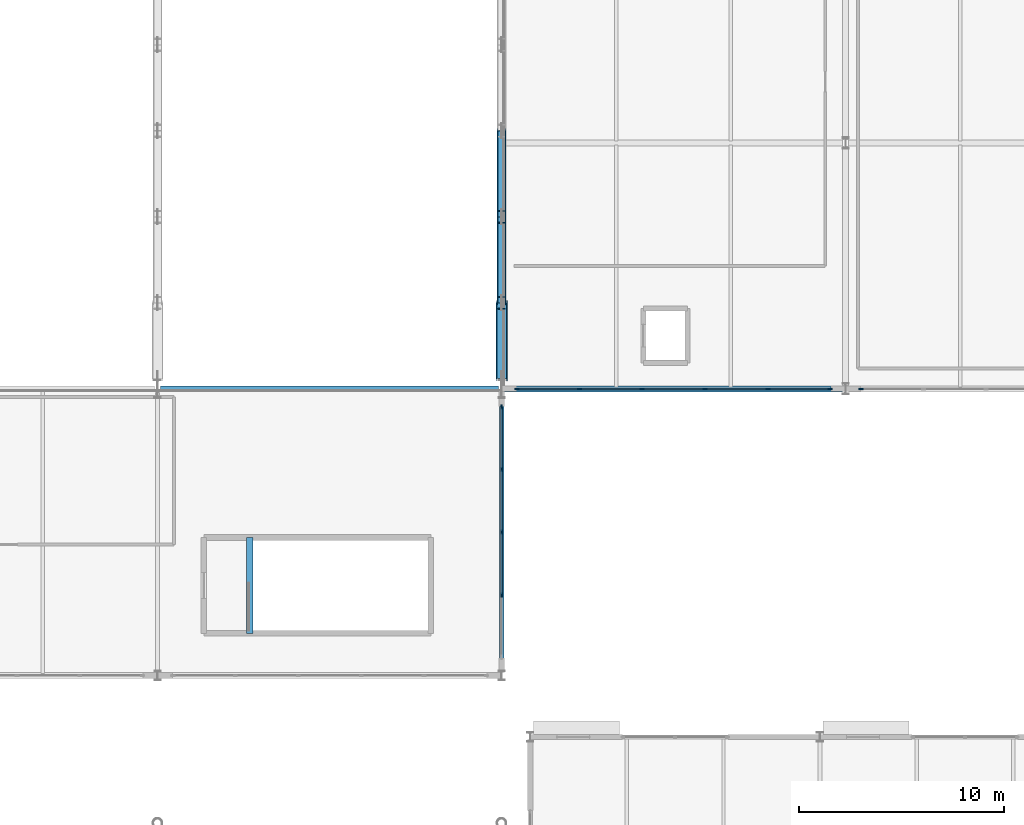
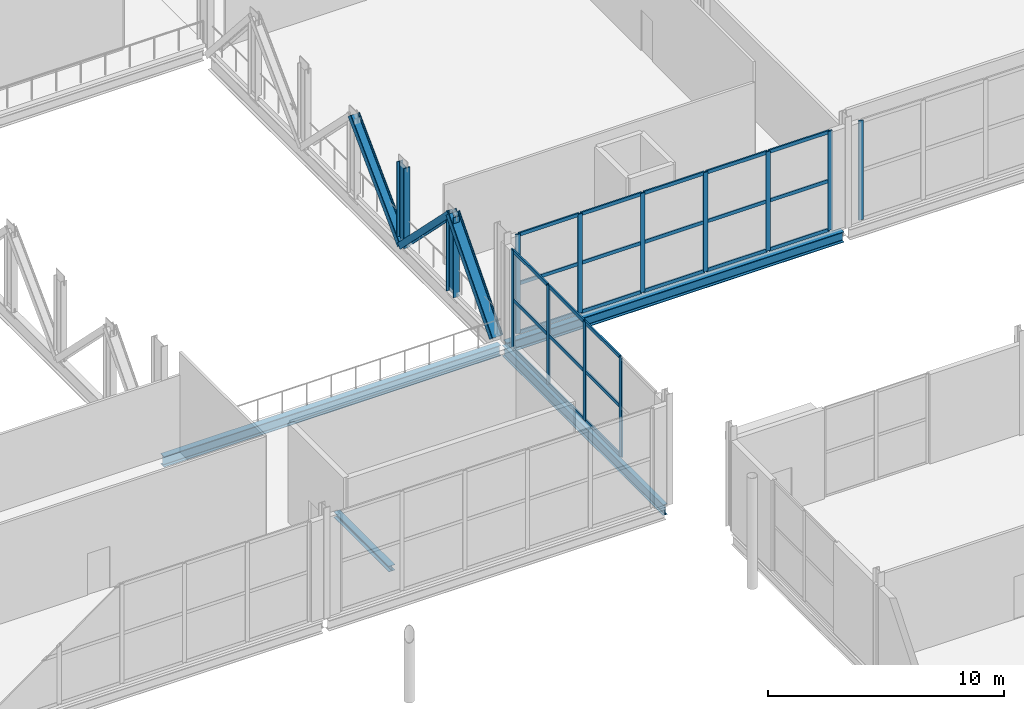
# One storey, part 42 of 84: 40 members, 4 beams, 3 elements without a shape of their own.
"""IFC4 building model written with IfcOpenShell, lengths in metres."""

from ifc_helpers import new_model, si_unit, direction, frame, origin, origin_2d, place, context, subcontext, project, spatial, rectangle, i_section, extrude, material, material_profile, profile_set, type_object, element, aggregate, save


model = new_model("IFC4")

# Units and contexts
model_context = context("Model", 3, precision=1e-05, world=origin(), true_north=direction((0.0, 1.0)))
body_context = subcontext(model_context, "Body", "Model", "MODEL_VIEW")
ifc_project = project(units=[si_unit("LENGTHUNIT", "METRE"), si_unit("AREAUNIT", "SQUARE_METRE"), si_unit("VOLUMEUNIT", "CUBIC_METRE"), si_unit("PLANEANGLEUNIT", "RADIAN"), si_unit("MASSUNIT", "GRAM", prefix="KILO")], contexts=[model_context])

# Site, building, storey
site_placement = place(None, origin())
site = spatial("IfcSite", under=ifc_project, at=site_placement, CompositionType="ELEMENT")
building_placement = place(site_placement, origin())
building = spatial("IfcBuilding", under=site, at=building_placement, Name="Kimbaza Rail Terminus", CompositionType="ELEMENT")
storey_placement = place(building_placement, frame((0.0, 0.0, 5.39990234375)))
storey = spatial("IfcBuildingStorey", under=building, at=storey_placement, Name="L01", CompositionType="ELEMENT", Elevation=5.39990234375)

# Curtain wall, members
ifc_material_1 = material(Name="Anodised aluminium framing and solar low-E glazing", Category="aluminium")
curtain_wall_type = type_object("IfcCurtainWallType", Name="ARC-CW-TH1", PredefinedType="USERDEFINED", material=ifc_material_1)
curtain_wall_1_placement = place(storey_placement, origin())
curtain_wall_1 = element("IfcCurtainWall", 1, at=curtain_wall_1_placement, inside=storey, type_object=curtain_wall_type, Name="Concourse E Return Curtain Wall L01", ObjectType="UNITISED CURTAIN WALL", PredefinedType="USERDEFINED")
ifc_material_2 = material(Name="Anodised architectural aluminium", Category="aluminium")
ifc_material_profile_1 = material_profile(ifc_material_2, rectangle(XDim=0.074951171875, YDim=0.219970703125, at=origin_2d()), Name="MULLION 75x220")
ifc_profile_set_1 = profile_set([ifc_material_profile_1], Name="Anodised architectural aluminium")
member_type_1 = type_object("IfcMemberType", Name="ARC-CWM-01", PredefinedType="MULLION", material=ifc_profile_set_1)
member_1_placement = place(storey_placement, frame((156.0, 44.929931640625, 0.0), z_axis=(0.0, 0.0, 1.0), x_axis=(-1.0, 0.0, 0.0)))
member_1 = element("IfcMember", 2, at=member_1_placement, type_object=member_type_1, Name="CW-01 mullion 2", PredefinedType="MULLION", context=body_context, shape_type="SweptSolid", body=[
    extrude(rectangle(XDim=0.074951171875, YDim=0.219970703125, at=origin_2d()), origin(), (0.0, 0.0, 1.0), 5.14013671875),
])
member_2_placement = place(storey_placement, frame((156.0, 48.0, 0.0), z_axis=(0.0, 0.0, 1.0), x_axis=(-1.0, 0.0, 0.0)))
member_2 = element("IfcMember", 3, at=member_2_placement, type_object=member_type_1, Name="CW-01 mullion 3", PredefinedType="MULLION", context=body_context, shape_type="SweptSolid", body=[
    extrude(rectangle(XDim=0.074951171875, YDim=0.219970703125, at=origin_2d()), origin(), (0.0, 0.0, 1.0), 5.14013671875),
])
member_3_placement = place(storey_placement, frame((156.0, 51.070068359375, 0.0), z_axis=(0.0, 0.0, 1.0), x_axis=(-1.0, 0.0, 0.0)))
member_3 = element("IfcMember", 4, at=member_3_placement, type_object=member_type_1, Name="CW-01 mullion 4", PredefinedType="MULLION", context=body_context, shape_type="SweptSolid", body=[
    extrude(rectangle(XDim=0.074951171875, YDim=0.219970703125, at=origin_2d()), origin(), (0.0, 0.0, 1.0), 5.14013671875),
])
member_4_placement = place(storey_placement, frame((156.0, 54.1025390625, 0.0), z_axis=(0.0, 0.0, 1.0), x_axis=(-1.0, 0.0, 0.0)))
member_4 = element("IfcMember", 5, at=member_4_placement, type_object=member_type_1, Name="CW-01 mullion 5", PredefinedType="MULLION", context=body_context, shape_type="SweptSolid", body=[
    extrude(rectangle(XDim=0.074951171875, YDim=0.219970703125, at=origin_2d()), origin(), (0.0, 0.0, 1.0), 5.14013671875),
])

curtain_wall_2_placement = place(storey_placement, origin())
curtain_wall_2 = element("IfcCurtainWall", 6, at=curtain_wall_2_placement, inside=storey, type_object=curtain_wall_type, Name="Ticket Hall Wing E Curtain Wall L01.1", ObjectType="UNITISED CURTAIN WALL", PredefinedType="USERDEFINED")
member_5_placement = place(storey_placement, frame((156.757568359375, 55.0, 0.0), z_axis=(0.0, 0.0, 1.0), x_axis=(0.0, 1.0, 0.0)))
member_5 = element("IfcMember", 7, at=member_5_placement, type_object=member_type_1, Name="CW-01 mullion 1", PredefinedType="MULLION", context=body_context, shape_type="SweptSolid", body=[
    extrude(rectangle(XDim=0.074951171875, YDim=0.219970703125, at=origin_2d()), origin(), (0.0, 0.0, 1.0), 5.14013671875),
])
member_6_placement = place(storey_placement, frame((159.7919921875, 55.0, 0.0), z_axis=(0.0, 0.0, 1.0), x_axis=(0.0, 1.0, 0.0)))
member_6 = element("IfcMember", 8, at=member_6_placement, type_object=member_type_1, Name="CW-01 mullion 2", PredefinedType="MULLION", context=body_context, shape_type="SweptSolid", body=[
    extrude(rectangle(XDim=0.074951171875, YDim=0.219970703125, at=origin_2d()), origin(), (0.0, 0.0, 1.0), 5.14013671875),
])
member_7_placement = place(storey_placement, frame((162.864013671875, 55.0, 0.0), z_axis=(0.0, 0.0, 1.0), x_axis=(0.0, 1.0, 0.0)))
member_7 = element("IfcMember", 9, at=member_7_placement, type_object=member_type_1, Name="CW-01 mullion 3", PredefinedType="MULLION", context=body_context, shape_type="SweptSolid", body=[
    extrude(rectangle(XDim=0.074951171875, YDim=0.219970703125, at=origin_2d()), origin(), (0.0, 0.0, 1.0), 5.14013671875),
])
member_8_placement = place(storey_placement, frame((165.93603515625, 55.0, 0.0), z_axis=(0.0, 0.0, 1.0), x_axis=(0.0, 1.0, 0.0)))
member_8 = element("IfcMember", 10, at=member_8_placement, type_object=member_type_1, Name="CW-01 mullion 4", PredefinedType="MULLION", context=body_context, shape_type="SweptSolid", body=[
    extrude(rectangle(XDim=0.074951171875, YDim=0.219970703125, at=origin_2d()), origin(), (0.0, 0.0, 1.0), 5.14013671875),
])
member_9_placement = place(storey_placement, frame((169.008056640625, 55.0, 0.0), z_axis=(0.0, 0.0, 1.0), x_axis=(0.0, 1.0, 0.0)))
member_9 = element("IfcMember", 11, at=member_9_placement, type_object=member_type_1, Name="CW-01 mullion 5", PredefinedType="MULLION", context=body_context, shape_type="SweptSolid", body=[
    extrude(rectangle(XDim=0.074951171875, YDim=0.219970703125, at=origin_2d()), origin(), (0.0, 0.0, 1.0), 5.14013671875),
])
member_10_placement = place(storey_placement, frame((172.04248046875, 55.0, 0.0), z_axis=(0.0, 0.0, 1.0), x_axis=(0.0, 1.0, 0.0)))
member_10 = element("IfcMember", 12, at=member_10_placement, type_object=member_type_1, Name="CW-01 mullion 6", PredefinedType="MULLION", context=body_context, shape_type="SweptSolid", body=[
    extrude(rectangle(XDim=0.074951171875, YDim=0.219970703125, at=origin_2d()), origin(), (0.0, 0.0, 1.0), 5.14013671875),
])

# Curtain wall, member
curtain_wall_3_placement = place(storey_placement, origin())
curtain_wall_3 = element("IfcCurtainWall", 13, at=curtain_wall_3_placement, inside=storey, type_object=curtain_wall_type, Name="Ticket Hall Wing E Curtain Wall L01.2", ObjectType="UNITISED CURTAIN WALL", PredefinedType="USERDEFINED")
member_11_placement = place(storey_placement, frame((173.5576171875, 55.0, 0.0), z_axis=(0.0, 0.0, 1.0), x_axis=(0.0, 1.0, 0.0)))
member_11 = element("IfcMember", 14, at=member_11_placement, type_object=member_type_1, Name="CW-01 mullion 1", PredefinedType="MULLION", context=body_context, shape_type="SweptSolid", body=[
    extrude(rectangle(XDim=0.074951171875, YDim=0.219970703125, at=origin_2d()), origin(), (0.0, 0.0, 1.0), 5.14013671875),
])
aggregate(curtain_wall_3, [member_11])

# Member
ifc_material_3 = material(Name="Anodised architectural aluminium", Category="aluminium")
ifc_material_profile_2 = material_profile(ifc_material_3, rectangle(XDim=0.074951171875, YDim=0.179931640625, at=origin_2d()), Name="TRANSOM 75x180")
ifc_profile_set_2 = profile_set([ifc_material_profile_2], Name="Anodised architectural aluminium")
member_type_2 = type_object("IfcMemberType", Name="ARC-CWT-01", PredefinedType="USERDEFINED", material=ifc_profile_set_2)
member_12_placement = place(storey_placement, frame((156.0, 44.967529296875, 0.03759765625), z_axis=(0.0, 1.0, 0.0), x_axis=(-1.0, 0.0, 0.0)))
member_12 = element("IfcMember", 15, at=member_12_placement, type_object=member_type_2, Name="CW-01 transom 2.1", ObjectType="TRANSOM", PredefinedType="USERDEFINED", context=body_context, shape_type="SweptSolid", body=[
    extrude(rectangle(XDim=0.074951171875, YDim=0.179931640625, at=origin_2d()), origin(), (0.0, 0.0, 1.0), 2.994873046875),
])

member_13_placement = place(storey_placement, frame((156.0, 44.967529296875, 2.570068359375), z_axis=(0.0, 1.0, 0.0), x_axis=(-1.0, 0.0, 0.0)))
member_13 = element("IfcMember", 16, at=member_13_placement, type_object=member_type_2, Name="CW-01 transom 2.2", ObjectType="TRANSOM", PredefinedType="USERDEFINED", context=body_context, shape_type="SweptSolid", body=[
    extrude(rectangle(XDim=0.074951171875, YDim=0.179931640625, at=origin_2d()), origin(), (0.0, 0.0, 1.0), 2.994873046875),
])

member_14_placement = place(storey_placement, frame((156.0, 44.967529296875, 5.1025390625), z_axis=(0.0, 1.0, 0.0), x_axis=(-1.0, 0.0, 0.0)))
member_14 = element("IfcMember", 17, at=member_14_placement, type_object=member_type_2, Name="CW-01 transom 2.3", ObjectType="TRANSOM", PredefinedType="USERDEFINED", context=body_context, shape_type="SweptSolid", body=[
    extrude(rectangle(XDim=0.074951171875, YDim=0.179931640625, at=origin_2d()), origin(), (0.0, 0.0, 1.0), 2.994873046875),
])

member_15_placement = place(storey_placement, frame((156.0, 48.03759765625, 0.03759765625), z_axis=(0.0, 1.0, 0.0), x_axis=(-1.0, 0.0, 0.0)))
member_15 = element("IfcMember", 18, at=member_15_placement, type_object=member_type_2, Name="CW-01 transom 3.1", ObjectType="TRANSOM", PredefinedType="USERDEFINED", context=body_context, shape_type="SweptSolid", body=[
    extrude(rectangle(XDim=0.074951171875, YDim=0.179931640625, at=origin_2d()), origin(), (0.0, 0.0, 1.0), 2.994873046875),
])

member_16_placement = place(storey_placement, frame((156.0, 48.03759765625, 2.570068359375), z_axis=(0.0, 1.0, 0.0), x_axis=(-1.0, 0.0, 0.0)))
member_16 = element("IfcMember", 19, at=member_16_placement, type_object=member_type_2, Name="CW-01 transom 3.2", ObjectType="TRANSOM", PredefinedType="USERDEFINED", context=body_context, shape_type="SweptSolid", body=[
    extrude(rectangle(XDim=0.074951171875, YDim=0.179931640625, at=origin_2d()), origin(), (0.0, 0.0, 1.0), 2.994873046875),
])

member_17_placement = place(storey_placement, frame((156.0, 48.03759765625, 5.1025390625), z_axis=(0.0, 1.0, 0.0), x_axis=(-1.0, 0.0, 0.0)))
member_17 = element("IfcMember", 20, at=member_17_placement, type_object=member_type_2, Name="CW-01 transom 3.3", ObjectType="TRANSOM", PredefinedType="USERDEFINED", context=body_context, shape_type="SweptSolid", body=[
    extrude(rectangle(XDim=0.074951171875, YDim=0.179931640625, at=origin_2d()), origin(), (0.0, 0.0, 1.0), 2.994873046875),
])

member_18_placement = place(storey_placement, frame((156.0, 51.107421875, 0.03759765625), z_axis=(0.0, 1.0, 0.0), x_axis=(-1.0, 0.0, 0.0)))
member_18 = element("IfcMember", 21, at=member_18_placement, type_object=member_type_2, Name="CW-01 transom 4.1", ObjectType="TRANSOM", PredefinedType="USERDEFINED", context=body_context, shape_type="SweptSolid", body=[
    extrude(rectangle(XDim=0.074951171875, YDim=0.179931640625, at=origin_2d()), origin(), (0.0, 0.0, 1.0), 2.95751953125),
])

member_19_placement = place(storey_placement, frame((156.0, 51.107421875, 2.570068359375), z_axis=(0.0, 1.0, 0.0), x_axis=(-1.0, 0.0, 0.0)))
member_19 = element("IfcMember", 22, at=member_19_placement, type_object=member_type_2, Name="CW-01 transom 4.2", ObjectType="TRANSOM", PredefinedType="USERDEFINED", context=body_context, shape_type="SweptSolid", body=[
    extrude(rectangle(XDim=0.074951171875, YDim=0.179931640625, at=origin_2d()), origin(), (0.0, 0.0, 1.0), 2.95751953125),
])

member_20_placement = place(storey_placement, frame((156.0, 51.107421875, 5.1025390625), z_axis=(0.0, 1.0, 0.0), x_axis=(-1.0, 0.0, 0.0)))
member_20 = element("IfcMember", 23, at=member_20_placement, type_object=member_type_2, Name="CW-01 transom 4.3", ObjectType="TRANSOM", PredefinedType="USERDEFINED", context=body_context, shape_type="SweptSolid", body=[
    extrude(rectangle(XDim=0.074951171875, YDim=0.179931640625, at=origin_2d()), origin(), (0.0, 0.0, 1.0), 2.95751953125),
])

aggregate(curtain_wall_1, [member_1, member_2, member_3, member_4, member_12, member_13, member_14, member_15, member_16, member_17, member_18, member_19, member_20])

member_21_placement = place(storey_placement, frame((156.794921875, 55.0, 0.03759765625), z_axis=(1.0, 0.0, 0.0), x_axis=(0.0, 1.0, 0.0)))
member_21 = element("IfcMember", 24, at=member_21_placement, type_object=member_type_2, Name="CW-01 transom 1.1", ObjectType="TRANSOM", PredefinedType="USERDEFINED", context=body_context, shape_type="SweptSolid", body=[
    extrude(rectangle(XDim=0.074951171875, YDim=0.179931640625, at=origin_2d()), origin(), (0.0, 0.0, 1.0), 2.95947265625),
])

member_22_placement = place(storey_placement, frame((156.794921875, 55.0, 2.570068359375), z_axis=(1.0, 0.0, 0.0), x_axis=(0.0, 1.0, 0.0)))
member_22 = element("IfcMember", 25, at=member_22_placement, type_object=member_type_2, Name="CW-01 transom 1.2", ObjectType="TRANSOM", PredefinedType="USERDEFINED", context=body_context, shape_type="SweptSolid", body=[
    extrude(rectangle(XDim=0.074951171875, YDim=0.179931640625, at=origin_2d()), origin(), (0.0, 0.0, 1.0), 2.95947265625),
])

member_23_placement = place(storey_placement, frame((156.794921875, 55.0, 5.1025390625), z_axis=(1.0, 0.0, 0.0), x_axis=(0.0, 1.0, 0.0)))
member_23 = element("IfcMember", 26, at=member_23_placement, type_object=member_type_2, Name="CW-01 transom 1.3", ObjectType="TRANSOM", PredefinedType="USERDEFINED", context=body_context, shape_type="SweptSolid", body=[
    extrude(rectangle(XDim=0.074951171875, YDim=0.179931640625, at=origin_2d()), origin(), (0.0, 0.0, 1.0), 2.95947265625),
])

member_24_placement = place(storey_placement, frame((159.82958984375, 55.0, 0.03759765625), z_axis=(1.0, 0.0, 0.0), x_axis=(0.0, 1.0, 0.0)))
member_24 = element("IfcMember", 27, at=member_24_placement, type_object=member_type_2, Name="CW-01 transom 2.1", ObjectType="TRANSOM", PredefinedType="USERDEFINED", context=body_context, shape_type="SweptSolid", body=[
    extrude(rectangle(XDim=0.074951171875, YDim=0.179931640625, at=origin_2d()), origin(), (0.0, 0.0, 1.0), 2.996826171875),
])

member_25_placement = place(storey_placement, frame((159.82958984375, 55.0, 2.570068359375), z_axis=(1.0, 0.0, 0.0), x_axis=(0.0, 1.0, 0.0)))
member_25 = element("IfcMember", 28, at=member_25_placement, type_object=member_type_2, Name="CW-01 transom 2.2", ObjectType="TRANSOM", PredefinedType="USERDEFINED", context=body_context, shape_type="SweptSolid", body=[
    extrude(rectangle(XDim=0.074951171875, YDim=0.179931640625, at=origin_2d()), origin(), (0.0, 0.0, 1.0), 2.996826171875),
])

member_26_placement = place(storey_placement, frame((159.82958984375, 55.0, 5.1025390625), z_axis=(1.0, 0.0, 0.0), x_axis=(0.0, 1.0, 0.0)))
member_26 = element("IfcMember", 29, at=member_26_placement, type_object=member_type_2, Name="CW-01 transom 2.3", ObjectType="TRANSOM", PredefinedType="USERDEFINED", context=body_context, shape_type="SweptSolid", body=[
    extrude(rectangle(XDim=0.074951171875, YDim=0.179931640625, at=origin_2d()), origin(), (0.0, 0.0, 1.0), 2.996826171875),
])

member_27_placement = place(storey_placement, frame((162.901611328125, 55.0, 0.03759765625), z_axis=(1.0, 0.0, 0.0), x_axis=(0.0, 1.0, 0.0)))
member_27 = element("IfcMember", 30, at=member_27_placement, type_object=member_type_2, Name="CW-01 transom 3.1", ObjectType="TRANSOM", PredefinedType="USERDEFINED", context=body_context, shape_type="SweptSolid", body=[
    extrude(rectangle(XDim=0.074951171875, YDim=0.179931640625, at=origin_2d()), origin(), (0.0, 0.0, 1.0), 2.996826171875),
])

member_28_placement = place(storey_placement, frame((162.901611328125, 55.0, 2.570068359375), z_axis=(1.0, 0.0, 0.0), x_axis=(0.0, 1.0, 0.0)))
member_28 = element("IfcMember", 31, at=member_28_placement, type_object=member_type_2, Name="CW-01 transom 3.2", ObjectType="TRANSOM", PredefinedType="USERDEFINED", context=body_context, shape_type="SweptSolid", body=[
    extrude(rectangle(XDim=0.074951171875, YDim=0.179931640625, at=origin_2d()), origin(), (0.0, 0.0, 1.0), 2.996826171875),
])

member_29_placement = place(storey_placement, frame((162.901611328125, 55.0, 5.1025390625), z_axis=(1.0, 0.0, 0.0), x_axis=(0.0, 1.0, 0.0)))
member_29 = element("IfcMember", 32, at=member_29_placement, type_object=member_type_2, Name="CW-01 transom 3.3", ObjectType="TRANSOM", PredefinedType="USERDEFINED", context=body_context, shape_type="SweptSolid", body=[
    extrude(rectangle(XDim=0.074951171875, YDim=0.179931640625, at=origin_2d()), origin(), (0.0, 0.0, 1.0), 2.996826171875),
])

member_30_placement = place(storey_placement, frame((165.973388671875, 55.0, 0.03759765625), z_axis=(1.0, 0.0, 0.0), x_axis=(0.0, 1.0, 0.0)))
member_30 = element("IfcMember", 33, at=member_30_placement, type_object=member_type_2, Name="CW-01 transom 4.1", ObjectType="TRANSOM", PredefinedType="USERDEFINED", context=body_context, shape_type="SweptSolid", body=[
    extrude(rectangle(XDim=0.074951171875, YDim=0.179931640625, at=origin_2d()), origin(), (0.0, 0.0, 1.0), 2.9970703125),
])

member_31_placement = place(storey_placement, frame((165.973388671875, 55.0, 2.570068359375), z_axis=(1.0, 0.0, 0.0), x_axis=(0.0, 1.0, 0.0)))
member_31 = element("IfcMember", 34, at=member_31_placement, type_object=member_type_2, Name="CW-01 transom 4.2", ObjectType="TRANSOM", PredefinedType="USERDEFINED", context=body_context, shape_type="SweptSolid", body=[
    extrude(rectangle(XDim=0.074951171875, YDim=0.179931640625, at=origin_2d()), origin(), (0.0, 0.0, 1.0), 2.9970703125),
])

member_32_placement = place(storey_placement, frame((165.973388671875, 55.0, 5.1025390625), z_axis=(1.0, 0.0, 0.0), x_axis=(0.0, 1.0, 0.0)))
member_32 = element("IfcMember", 35, at=member_32_placement, type_object=member_type_2, Name="CW-01 transom 4.3", ObjectType="TRANSOM", PredefinedType="USERDEFINED", context=body_context, shape_type="SweptSolid", body=[
    extrude(rectangle(XDim=0.074951171875, YDim=0.179931640625, at=origin_2d()), origin(), (0.0, 0.0, 1.0), 2.9970703125),
])

member_33_placement = place(storey_placement, frame((169.04541015625, 55.0, 0.03759765625), z_axis=(1.0, 0.0, 0.0), x_axis=(0.0, 1.0, 0.0)))
member_33 = element("IfcMember", 36, at=member_33_placement, type_object=member_type_2, Name="CW-01 transom 5.1", ObjectType="TRANSOM", PredefinedType="USERDEFINED", context=body_context, shape_type="SweptSolid", body=[
    extrude(rectangle(XDim=0.074951171875, YDim=0.179931640625, at=origin_2d()), origin(), (0.0, 0.0, 1.0), 2.95947265625),
])

member_34_placement = place(storey_placement, frame((169.04541015625, 55.0, 2.570068359375), z_axis=(1.0, 0.0, 0.0), x_axis=(0.0, 1.0, 0.0)))
member_34 = element("IfcMember", 37, at=member_34_placement, type_object=member_type_2, Name="CW-01 transom 5.2", ObjectType="TRANSOM", PredefinedType="USERDEFINED", context=body_context, shape_type="SweptSolid", body=[
    extrude(rectangle(XDim=0.074951171875, YDim=0.179931640625, at=origin_2d()), origin(), (0.0, 0.0, 1.0), 2.95947265625),
])

member_35_placement = place(storey_placement, frame((169.04541015625, 55.0, 5.1025390625), z_axis=(1.0, 0.0, 0.0), x_axis=(0.0, 1.0, 0.0)))
member_35 = element("IfcMember", 38, at=member_35_placement, type_object=member_type_2, Name="CW-01 transom 5.3", ObjectType="TRANSOM", PredefinedType="USERDEFINED", context=body_context, shape_type="SweptSolid", body=[
    extrude(rectangle(XDim=0.074951171875, YDim=0.179931640625, at=origin_2d()), origin(), (0.0, 0.0, 1.0), 2.95947265625),
])

aggregate(curtain_wall_2, [member_5, member_6, member_7, member_8, member_9, member_10, member_21, member_22, member_23, member_24, member_25, member_26, member_27, member_28, member_29, member_30, member_31, member_32, member_33, member_34, member_35])

# Beams
ifc_material_4 = material(Name="Steel S355", Category="steel")
ifc_material_profile_3 = material_profile(ifc_material_4, i_section(OverallWidth=0.300048828125, OverallDepth=0.2900390625, WebThickness=0.008544921875, FlangeThickness=0.013916015625, FilletRadius=0.027099609375, at=origin_2d()), Name="HEA 300")
ifc_profile_set_3 = profile_set([ifc_material_profile_3], Name="Steel S355")
beam_type_1 = type_object("IfcBeamType", Name="STR-BM-HEA300", PredefinedType="SPANDREL", material=ifc_profile_set_3)
beam_1_placement = place(storey_placement, frame((143.699951171875, 43.06005859375, -0.364990234375), z_axis=(0.0, 1.0, 0.0), x_axis=(-1.0, 0.0, 0.0)))
element("IfcBeam", 39, at=beam_1_placement, inside=storey, type_object=beam_type_1, Name="South Metro Concourse East Stair Landing Trimmer Beam L01", PredefinedType="SPANDREL", context=body_context, shape_type="SweptSolid", body=[
    extrude(i_section(OverallWidth=0.300048828125, OverallDepth=0.2900390625, WebThickness=0.008544921875, FlangeThickness=0.013916015625, FilletRadius=0.027099609375, at=origin_2d()), origin(), (0.0, 0.0, 1.0), 4.679931640625),
])
ifc_material_5 = material(Name="Steel S355", Category="steel")
ifc_material_profile_4 = material_profile(ifc_material_5, i_section(OverallWidth=0.300048828125, OverallDepth=0.550048828125, WebThickness=0.014892578125, FlangeThickness=0.029052734375, FilletRadius=0.027099609375, at=origin_2d()), Name="HEB 550")
ifc_profile_set_4 = profile_set([ifc_material_profile_4], Name="Steel S355")
beam_type_2 = type_object("IfcBeamType", Name="STR-BM-HEB550", PredefinedType="BEAM", material=ifc_profile_set_4)
for number, where, z_axis, x_axis, name in (
    (40, (139.345947265625, 55.0, -0.494873046875), (1.0, 0.0, 0.0), (0.0, 1.0, 0.0), "Beam BM-V2X-L01-55-6"),
    (41, (156.14599609375, 55.0, -0.494873046875), (1.0, 0.0, 0.0), (0.0, 1.0, 0.0), "Beam BM-V2X-L01-55-7"),
):
    element("IfcBeam", number, at=place(storey_placement, frame(where, z_axis=z_axis, x_axis=x_axis)), inside=storey, type_object=beam_type_2, Name=name, PredefinedType="BEAM", context=body_context, shape_type="SweptSolid", body=[
        extrude(i_section(OverallWidth=0.300048828125, OverallDepth=0.550048828125, WebThickness=0.014892578125, FlangeThickness=0.029052734375, FilletRadius=0.027099609375, at=origin_2d()), origin(), (0.0, 0.0, 1.0), 16.508056640625),
    ])
ifc_material_6 = material(Name="Steel S355", Category="steel")
ifc_material_profile_5 = material_profile(ifc_material_6, i_section(OverallWidth=0.2099609375, OverallDepth=0.550048828125, WebThickness=0.010986328125, FlangeThickness=0.01708984375, FilletRadius=0.02392578125, at=origin_2d()), Name="IPE 550")
ifc_profile_set_5 = profile_set([ifc_material_profile_5], Name="Steel S355")
beam_type_3 = type_object("IfcBeamType", Name="STR-BM-IPE550", PredefinedType="BEAM", material=ifc_profile_set_5)
beam_2_placement = place(storey_placement, frame((156.0, 41.175048828125, -0.494873046875), z_axis=(0.0, 1.0, 0.0), x_axis=(-1.0, 0.0, 0.0)))
element("IfcBeam", 42, at=beam_2_placement, inside=storey, type_object=beam_type_3, Name="Beam BM-V2Y-L01-6-41", PredefinedType="BEAM", context=body_context, shape_type="SweptSolid", body=[
    extrude(i_section(OverallWidth=0.2099609375, OverallDepth=0.550048828125, WebThickness=0.010986328125, FlangeThickness=0.01708984375, FilletRadius=0.02392578125, at=origin_2d()), origin(), (0.0, 0.0, 1.0), 13.64990234375),
])

# Members
ifc_material_7 = material(Name="Steel S355", Category="steel")
ifc_material_profile_6 = material_profile(ifc_material_7, i_section(OverallWidth=0.300048828125, OverallDepth=0.449951171875, WebThickness=0.013916015625, FlangeThickness=0.02587890625, FilletRadius=0.027099609375, at=origin_2d()), Name="HEB 450")
ifc_profile_set_6 = profile_set([ifc_material_profile_6], Name="Steel S355")
member_type_3 = type_object("IfcMemberType", Name="STR-MB-HEB450", PredefinedType="BRACE", material=ifc_profile_set_6)
member_36_placement = place(storey_placement, frame((156.0, 59.199951171875, 3.955078125), z_axis=(0.0, 0.706942385545, -0.707271138616), x_axis=(0.0, 0.707271138616, 0.706942385545)))
element("IfcMember", 43, at=member_36_placement, inside=storey, type_object=member_type_3, Name="Warren Transfer Truss Diagonal WT-06-2", PredefinedType="BRACE", context=body_context, shape_type="SweptSolid", body=[
    extrude(i_section(OverallWidth=0.300048828125, OverallDepth=0.449951171875, WebThickness=0.013916015625, FlangeThickness=0.02587890625, FilletRadius=0.027099609375, at=origin_2d()), origin(), (0.0, 0.0, 1.0), 5.94091796875),
])
member_37_placement = place(storey_placement, frame((156.0, 63.39990234375, -0.246826171875), z_axis=(0.0, 0.706962941269, 0.70725059185), x_axis=(0.0, -0.70725059185, 0.706962941269)))
element("IfcMember", 44, at=member_37_placement, inside=storey, type_object=member_type_3, Name="Warren Transfer Truss Diagonal WT-06-3", PredefinedType="BRACE", context=body_context, shape_type="SweptSolid", body=[
    extrude(i_section(OverallWidth=0.300048828125, OverallDepth=0.449951171875, WebThickness=0.013916015625, FlangeThickness=0.02587890625, FilletRadius=0.027099609375, at=origin_2d()), origin(), (0.0, 0.0, 1.0), 5.941162109375),
])
ifc_material_8 = material(Name="Steel S355", Category="steel")
ifc_material_profile_7 = material_profile(ifc_material_8, i_section(OverallWidth=0.300048828125, OverallDepth=0.550048828125, WebThickness=0.014892578125, FlangeThickness=0.029052734375, FilletRadius=0.027099609375, at=origin_2d()), Name="HEB 550")
ifc_profile_set_7 = profile_set([ifc_material_profile_7], Name="Steel S355")
member_type_4 = type_object("IfcMemberType", Name="STR-MB-HEB550", PredefinedType="BRACE", material=ifc_profile_set_7)
member_38_placement = place(storey_placement, frame((156.0, 55.5, -0.246826171875), z_axis=(0.0, 0.660856906539, 0.750511924675), x_axis=(0.0, -0.750511924675, 0.660856906539)))
element("IfcMember", 45, at=member_38_placement, inside=storey, type_object=member_type_4, Name="Warren Transfer Truss Diagonal WT-06-1", PredefinedType="BRACE", context=body_context, shape_type="SweptSolid", body=[
    extrude(i_section(OverallWidth=0.300048828125, OverallDepth=0.550048828125, WebThickness=0.014892578125, FlangeThickness=0.029052734375, FilletRadius=0.027099609375, at=origin_2d()), origin(), (0.0, 0.0, 1.0), 5.5986328125),
])
ifc_material_9 = material(Name="Steel S355", Category="steel")
ifc_material_profile_8 = material_profile(ifc_material_9, i_section(OverallWidth=0.304931640625, OverallDepth=0.6201171875, WebThickness=0.02099609375, FlangeThickness=0.0400390625, FilletRadius=0.027099609375, at=origin_2d()), Name="HEM 600")
ifc_profile_set_8 = profile_set([ifc_material_profile_8], Name="Steel S355")
member_type_5 = type_object("IfcMemberType", Name="STR-MB-HEM600", PredefinedType="POST", material=ifc_profile_set_8)
for number, where, z_axis, x_axis, name in (
    (46, (156.0, 59.199951171875, -0.226806640625), (0.0, 0.0, 1.0), (1.0, 0.0, 0.0), "Warren Truss WT-06 Vertical Post 1"),
    (47, (156.0, 63.39990234375, -0.226806640625), (0.0, 0.0, 1.0), (1.0, 0.0, 0.0), "Warren Truss WT-06 Vertical Post 2"),
):
    element("IfcMember", number, at=place(storey_placement, frame(where, z_axis=z_axis, x_axis=x_axis)), inside=storey, type_object=member_type_5, Name=name, PredefinedType="POST", context=body_context, shape_type="SweptSolid", body=[
        extrude(i_section(OverallWidth=0.304931640625, OverallDepth=0.6201171875, WebThickness=0.02099609375, FlangeThickness=0.0400390625, FilletRadius=0.027099609375, at=origin_2d()), origin(), (0.0, 0.0, 1.0), 4.15185546875),
    ])

save(model, "model.ifc")
